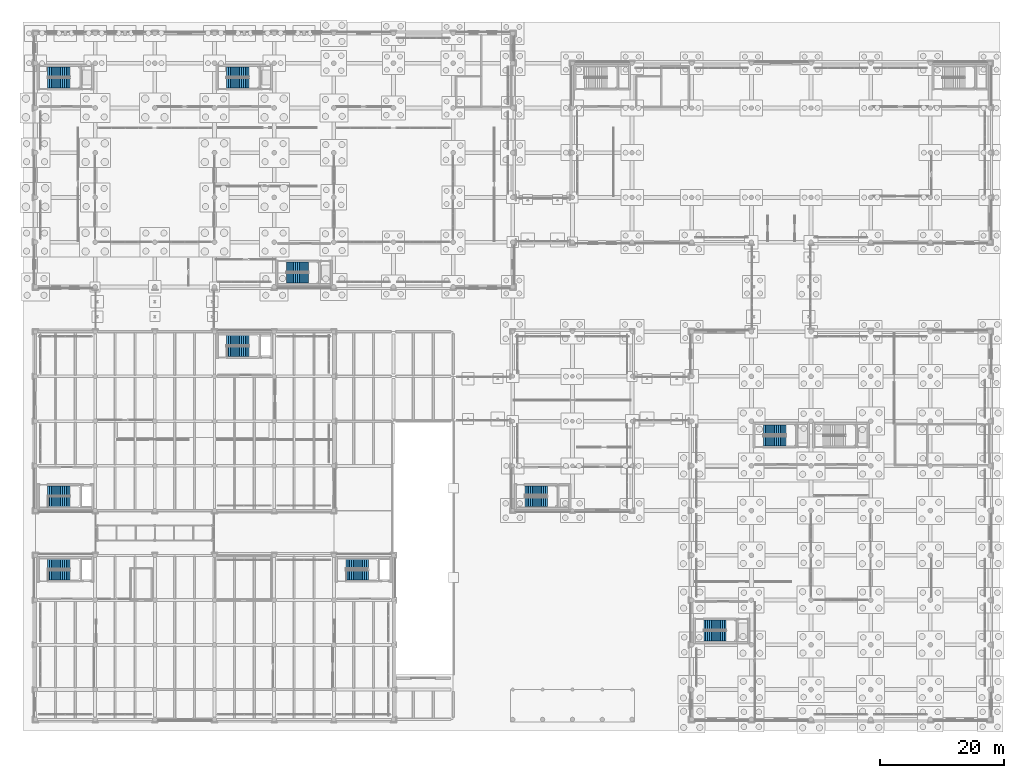
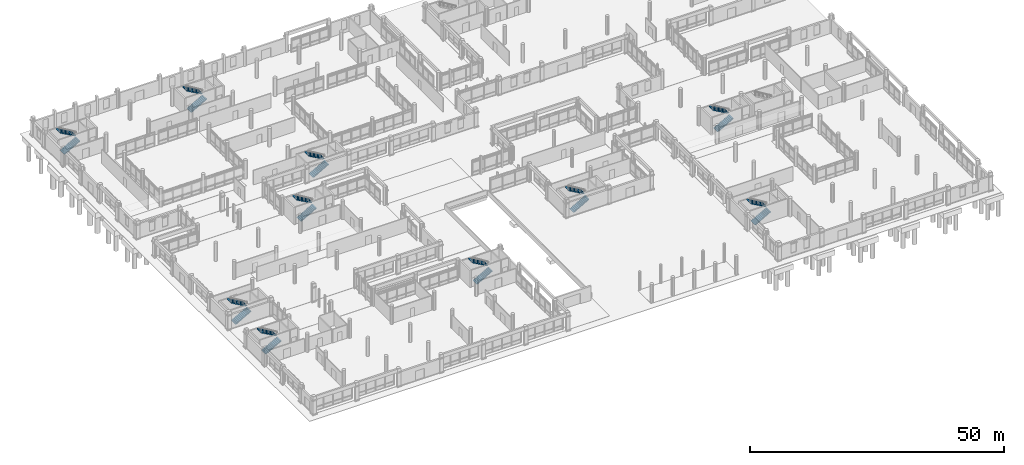
# One storey, part 168 of 196: 20 stair flights, 10 elements without a shape of their own.
"""IFC4 building model written with IfcOpenShell, lengths in metres."""

from ifc_helpers import new_model, si_unit, direction, frame, origin, place, context, subcontext, project, spatial, polyline, outline, extrude, material, layer, layer_set, type_object, element, aggregate, save


model = new_model("IFC4")

# Units and contexts
model_context = context("Model", 3, precision=1e-05, world=origin(), true_north=direction((0.0, 1.0)))
body_context = subcontext(model_context, "Body", "Model", "MODEL_VIEW")
ifc_project = project(units=[si_unit("LENGTHUNIT", "METRE"), si_unit("AREAUNIT", "SQUARE_METRE"), si_unit("VOLUMEUNIT", "CUBIC_METRE"), si_unit("PLANEANGLEUNIT", "RADIAN"), si_unit("MASSUNIT", "GRAM", prefix="KILO")], contexts=[model_context])

# Site, building, storey
site_placement = place(None, origin())
site = spatial("IfcSite", under=ifc_project, at=site_placement, CompositionType="ELEMENT")
building_placement = place(site_placement, origin())
building = spatial("IfcBuilding", under=site, at=building_placement, Name="Asteropetra Specialist Clinic", CompositionType="ELEMENT")
storey_placement = place(building_placement, origin())
storey = spatial("IfcBuildingStorey", under=building, at=storey_placement, Name="L00", CompositionType="ELEMENT", Elevation=0.0)

# Stair, stair flights
ifc_material_1 = material(Name="Concrete C35/45", Category="concrete")
stair_type_1 = type_object("IfcStairType", Name="STR-DOG-150", PredefinedType="TWO_STRAIGHT_RUN_STAIR", material=ifc_material_1)
stair_1_placement = place(storey_placement, origin())
stair_1 = element("IfcStair", 1, at=stair_1_placement, inside=storey, type_object=stair_type_1, Name="Type I Stair ST13-L00", PredefinedType="TWO_STRAIGHT_RUN_STAIR")
ifc_material_2 = material(Name="Concrete C35/45", Category="concrete")
ifc_layer_1 = layer(ifc_material_2, 0.179931640625)
ifc_layer_set_1 = layer_set([ifc_layer_1], Name="Concrete C35/45")
stair_flight_type_1 = type_object("IfcStairFlightType", Name="SFL-STR-150", PredefinedType="STRAIGHT", material=ifc_layer_set_1)
stair_flight_1_placement = place(storey_placement, frame((78.75, 34.989990234375, 0.0), z_axis=(0.0, 0.0, 1.0), x_axis=(1.0, 0.0, 0.0)))
stair_flight_1 = element("IfcStairFlight", 2, at=stair_flight_1_placement, type_object=stair_flight_type_1, Name="ST13-L00 flight 1", NumberOfRisers=13, NumberOfTreads=12, PredefinedType="STRAIGHT", RiserHeight=0.17, TreadLength=0.3, context=body_context, shape_type="SweptSolid", body=[
    extrude(outline(polyline([(0.0, 0.0), (0.0, 0.169921875), (0.300048828125, 0.169921875), (0.300048828125, 0.340087890625), (0.60009765625, 0.340087890625), (0.60009765625, 0.510009765625), (0.89990234375, 0.510009765625), (0.89990234375, 0.679931640625), (1.199951171875, 0.679931640625), (1.199951171875, 0.85009765625), (1.5, 0.85009765625), (1.5, 1.02001953125), (1.800048828125, 1.02001953125), (1.800048828125, 1.18994140625), (2.10009765625, 1.18994140625), (2.10009765625, 1.360107421875), (2.39990234375, 1.360107421875), (2.39990234375, 1.530029296875), (2.699951171875, 1.530029296875), (2.699951171875, 1.699951171875), (3.0, 1.699951171875), (3.0, 1.8701171875), (3.300048828125, 1.8701171875), (3.300048828125, 2.0400390625), (3.60009765625, 2.0400390625), (3.60009765625, 2.2099609375), (3.60009765625, 1.856201171875), (0.324462890625, 0.0), (0.0, 0.0)])), frame((0.0, 0.75, 0.0), z_axis=(0.0, -1.0, 0.0), x_axis=(1.0, 0.0, 0.0)), (0.0, 0.0, 1.0), 1.5),
])
stair_flight_2_placement = place(storey_placement, frame((82.35009765625, 36.830078125, 2.2099609375), z_axis=(0.0, 0.0, 1.0), x_axis=(-1.0, 0.0, 0.0)))
stair_flight_2 = element("IfcStairFlight", 3, at=stair_flight_2_placement, type_object=stair_flight_type_1, Name="ST13-L00 flight 2", NumberOfRisers=13, NumberOfTreads=12, PredefinedType="STRAIGHT", RiserHeight=0.17, TreadLength=0.3, context=body_context, shape_type="SweptSolid", body=[
    extrude(outline(polyline([(0.0, 0.0), (0.0, 0.169921875), (0.300048828125, 0.169921875), (0.300048828125, 0.340087890625), (0.60009765625, 0.340087890625), (0.60009765625, 0.510009765625), (0.89990234375, 0.510009765625), (0.89990234375, 0.679931640625), (1.199951171875, 0.679931640625), (1.199951171875, 0.85009765625), (1.5, 0.85009765625), (1.5, 1.02001953125), (1.800048828125, 1.02001953125), (1.800048828125, 1.18994140625), (2.10009765625, 1.18994140625), (2.10009765625, 1.360107421875), (2.39990234375, 1.360107421875), (2.39990234375, 1.530029296875), (2.699951171875, 1.530029296875), (2.699951171875, 1.699951171875), (3.0, 1.699951171875), (3.0, 1.8701171875), (3.300048828125, 1.8701171875), (3.300048828125, 2.0400390625), (3.60009765625, 2.0400390625), (3.60009765625, 2.2099609375), (3.60009765625, 1.856201171875), (0.324462890625, 0.0), (0.0, 0.0)])), frame((0.0, 0.75, 0.0), z_axis=(0.0, -1.0, 0.0), x_axis=(1.0, 0.0, 0.0)), (0.0, 0.0, 1.0), 1.5),
])
aggregate(stair_1, [stair_flight_1, stair_flight_2])

ifc_material_3 = material(Name="Concrete C35/45", Category="concrete")
stair_type_2 = type_object("IfcStairType", Name="STR-DOG-155", PredefinedType="TWO_STRAIGHT_RUN_STAIR", material=ifc_material_3)
stair_2_placement = place(storey_placement, origin())
stair_2 = element("IfcStair", 4, at=stair_2_placement, inside=storey, type_object=stair_type_2, Name="Type I Stair ST07-L00", PredefinedType="TWO_STRAIGHT_RUN_STAIR")
ifc_material_4 = material(Name="Concrete C35/45", Category="concrete")
ifc_layer_2 = layer(ifc_material_4, 0.179931640625)
ifc_layer_set_2 = layer_set([ifc_layer_2], Name="Concrete C35/45")
stair_flight_type_2 = type_object("IfcStairFlightType", Name="SFL-STR-155", PredefinedType="STRAIGHT", material=ifc_layer_set_2)
stair_flight_3_placement = place(storey_placement, frame((49.949951171875, 23.195068359375, 0.0), z_axis=(0.0, 0.0, 1.0), x_axis=(1.0, 0.0, 0.0)))
stair_flight_3 = element("IfcStairFlight", 5, at=stair_flight_3_placement, type_object=stair_flight_type_2, Name="ST07-L00 flight 1", NumberOfRisers=13, NumberOfTreads=12, PredefinedType="STRAIGHT", RiserHeight=0.17, TreadLength=0.3, context=body_context, shape_type="SweptSolid", body=[
    extrude(outline(polyline([(0.0, 0.0), (0.0, 0.169921875), (0.300048828125, 0.169921875), (0.300048828125, 0.340087890625), (0.60009765625, 0.340087890625), (0.60009765625, 0.510009765625), (0.89990234375, 0.510009765625), (0.89990234375, 0.679931640625), (1.199951171875, 0.679931640625), (1.199951171875, 0.85009765625), (1.5, 0.85009765625), (1.5, 1.02001953125), (1.800048828125, 1.02001953125), (1.800048828125, 1.18994140625), (2.10009765625, 1.18994140625), (2.10009765625, 1.360107421875), (2.39990234375, 1.360107421875), (2.39990234375, 1.530029296875), (2.699951171875, 1.530029296875), (2.699951171875, 1.699951171875), (3.0, 1.699951171875), (3.0, 1.8701171875), (3.300048828125, 1.8701171875), (3.300048828125, 2.0400390625), (3.60009765625, 2.0400390625), (3.60009765625, 2.2099609375), (3.60009765625, 1.856201171875), (0.324462890625, 0.0), (0.0, 0.0)])), frame((0.0, 0.77490234375, 0.0), z_axis=(0.0, -1.0, 0.0), x_axis=(1.0, 0.0, 0.0)), (0.0, 0.0, 1.0), 1.550048828125),
])
stair_flight_4_placement = place(storey_placement, frame((53.550048828125, 24.985107421875, 2.2099609375), z_axis=(0.0, 0.0, 1.0), x_axis=(-1.0, 0.0, 0.0)))
stair_flight_4 = element("IfcStairFlight", 6, at=stair_flight_4_placement, type_object=stair_flight_type_2, Name="ST07-L00 flight 2", NumberOfRisers=13, NumberOfTreads=12, PredefinedType="STRAIGHT", RiserHeight=0.17, TreadLength=0.3, context=body_context, shape_type="SweptSolid", body=[
    extrude(outline(polyline([(0.0, 0.0), (0.0, 0.169921875), (0.300048828125, 0.169921875), (0.300048828125, 0.340087890625), (0.60009765625, 0.340087890625), (0.60009765625, 0.510009765625), (0.89990234375, 0.510009765625), (0.89990234375, 0.679931640625), (1.199951171875, 0.679931640625), (1.199951171875, 0.85009765625), (1.5, 0.85009765625), (1.5, 1.02001953125), (1.800048828125, 1.02001953125), (1.800048828125, 1.18994140625), (2.10009765625, 1.18994140625), (2.10009765625, 1.360107421875), (2.39990234375, 1.360107421875), (2.39990234375, 1.530029296875), (2.699951171875, 1.530029296875), (2.699951171875, 1.699951171875), (3.0, 1.699951171875), (3.0, 1.8701171875), (3.300048828125, 1.8701171875), (3.300048828125, 2.0400390625), (3.60009765625, 2.0400390625), (3.60009765625, 2.2099609375), (3.60009765625, 1.856201171875), (0.324462890625, 0.0), (0.0, 0.0)])), frame((0.0, 0.77490234375, 0.0), z_axis=(0.0, -1.0, 0.0), x_axis=(1.0, 0.0, 0.0)), (0.0, 0.0, 1.0), 1.550048828125),
])
aggregate(stair_2, [stair_flight_3, stair_flight_4])

stair_3_placement = place(storey_placement, origin())
stair_3 = element("IfcStair", 7, at=stair_3_placement, inside=storey, type_object=stair_type_2, Name="Type I Stair ST10-L00", PredefinedType="TWO_STRAIGHT_RUN_STAIR")
stair_flight_5_placement = place(storey_placement, frame((117.14990234375, 44.794921875, 0.0), z_axis=(0.0, 0.0, 1.0), x_axis=(1.0, 0.0, 0.0)))
stair_flight_5 = element("IfcStairFlight", 8, at=stair_flight_5_placement, type_object=stair_flight_type_2, Name="ST10-L00 flight 1", NumberOfRisers=13, NumberOfTreads=12, PredefinedType="STRAIGHT", RiserHeight=0.17, TreadLength=0.3, context=body_context, shape_type="SweptSolid", body=[
    extrude(outline(polyline([(0.0, 0.0), (0.0, 0.169921875), (0.300048828125, 0.169921875), (0.300048828125, 0.340087890625), (0.60009765625, 0.340087890625), (0.60009765625, 0.510009765625), (0.89990234375, 0.510009765625), (0.89990234375, 0.679931640625), (1.199951171875, 0.679931640625), (1.199951171875, 0.85009765625), (1.5, 0.85009765625), (1.5, 1.02001953125), (1.800048828125, 1.02001953125), (1.800048828125, 1.18994140625), (2.10009765625, 1.18994140625), (2.10009765625, 1.360107421875), (2.39990234375, 1.360107421875), (2.39990234375, 1.530029296875), (2.699951171875, 1.530029296875), (2.699951171875, 1.699951171875), (3.0, 1.699951171875), (3.0, 1.8701171875), (3.300048828125, 1.8701171875), (3.300048828125, 2.0400390625), (3.60009765625, 2.0400390625), (3.60009765625, 2.2099609375), (3.60009765625, 1.856201171875), (0.324462890625, 0.0), (0.0, 0.0)])), frame((0.0, 0.77490234375, 0.0), z_axis=(0.0, -1.0, 0.0), x_axis=(1.0, 0.0, 0.0)), (0.0, 0.0, 1.0), 1.550048828125),
])
stair_flight_6_placement = place(storey_placement, frame((120.75, 46.5849609375, 2.2099609375), z_axis=(0.0, 0.0, 1.0), x_axis=(-1.0, 0.0, 0.0)))
stair_flight_6 = element("IfcStairFlight", 9, at=stair_flight_6_placement, type_object=stair_flight_type_2, Name="ST10-L00 flight 2", NumberOfRisers=13, NumberOfTreads=12, PredefinedType="STRAIGHT", RiserHeight=0.17, TreadLength=0.3, context=body_context, shape_type="SweptSolid", body=[
    extrude(outline(polyline([(0.0, 0.0), (0.0, 0.169921875), (0.300048828125, 0.169921875), (0.300048828125, 0.340087890625), (0.60009765625, 0.340087890625), (0.60009765625, 0.510009765625), (0.89990234375, 0.510009765625), (0.89990234375, 0.679931640625), (1.199951171875, 0.679931640625), (1.199951171875, 0.85009765625), (1.5, 0.85009765625), (1.5, 1.02001953125), (1.800048828125, 1.02001953125), (1.800048828125, 1.18994140625), (2.10009765625, 1.18994140625), (2.10009765625, 1.360107421875), (2.39990234375, 1.360107421875), (2.39990234375, 1.530029296875), (2.699951171875, 1.530029296875), (2.699951171875, 1.699951171875), (3.0, 1.699951171875), (3.0, 1.8701171875), (3.300048828125, 1.8701171875), (3.300048828125, 2.0400390625), (3.60009765625, 2.0400390625), (3.60009765625, 2.2099609375), (3.60009765625, 1.856201171875), (0.324462890625, 0.0), (0.0, 0.0)])), frame((0.0, 0.77490234375, 0.0), z_axis=(0.0, -1.0, 0.0), x_axis=(1.0, 0.0, 0.0)), (0.0, 0.0, 1.0), 1.550048828125),
])
aggregate(stair_3, [stair_flight_5, stair_flight_6])

ifc_material_5 = material(Name="Concrete C35/45", Category="concrete")
stair_type_3 = type_object("IfcStairType", Name="STR-DOG-160", PredefinedType="TWO_STRAIGHT_RUN_STAIR", material=ifc_material_5)
stair_4_placement = place(storey_placement, origin())
stair_4 = element("IfcStair", 10, at=stair_4_placement, inside=storey, type_object=stair_type_3, Name="Type I Stair ST03-L00", PredefinedType="TWO_STRAIGHT_RUN_STAIR")
ifc_material_6 = material(Name="Concrete C35/45", Category="concrete")
ifc_layer_3 = layer(ifc_material_6, 0.179931640625)
ifc_layer_set_3 = layer_set([ifc_layer_3], Name="Concrete C35/45")
stair_flight_type_3 = type_object("IfcStairFlightType", Name="SFL-STR-160", PredefinedType="STRAIGHT", material=ifc_layer_set_3)
stair_flight_7_placement = place(storey_placement, frame((40.35009765625, 71.0400390625, 0.0), z_axis=(0.0, 0.0, 1.0), x_axis=(1.0, 0.0, 0.0)))
stair_flight_7 = element("IfcStairFlight", 11, at=stair_flight_7_placement, type_object=stair_flight_type_3, Name="ST03-L00 flight 1", NumberOfRisers=13, NumberOfTreads=12, PredefinedType="STRAIGHT", RiserHeight=0.17, TreadLength=0.3, context=body_context, shape_type="SweptSolid", body=[
    extrude(outline(polyline([(0.0, 0.0), (0.0, 0.169921875), (0.300048828125, 0.169921875), (0.300048828125, 0.340087890625), (0.60009765625, 0.340087890625), (0.60009765625, 0.510009765625), (0.89990234375, 0.510009765625), (0.89990234375, 0.679931640625), (1.199951171875, 0.679931640625), (1.199951171875, 0.85009765625), (1.5, 0.85009765625), (1.5, 1.02001953125), (1.800048828125, 1.02001953125), (1.800048828125, 1.18994140625), (2.10009765625, 1.18994140625), (2.10009765625, 1.360107421875), (2.39990234375, 1.360107421875), (2.39990234375, 1.530029296875), (2.699951171875, 1.530029296875), (2.699951171875, 1.699951171875), (3.0, 1.699951171875), (3.0, 1.8701171875), (3.300048828125, 1.8701171875), (3.300048828125, 2.0400390625), (3.60009765625, 2.0400390625), (3.60009765625, 2.2099609375), (3.60009765625, 1.856201171875), (0.324462890625, 0.0), (0.0, 0.0)])), frame((0.0, 0.800048828125, 0.0), z_axis=(0.0, -1.0, 0.0), x_axis=(1.0, 0.0, 0.0)), (0.0, 0.0, 1.0), 1.60009765625),
])
stair_flight_8_placement = place(storey_placement, frame((43.949951171875, 72.780029296875, 2.2099609375), z_axis=(0.0, 0.0, 1.0), x_axis=(-1.0, 0.0, 0.0)))
stair_flight_8 = element("IfcStairFlight", 12, at=stair_flight_8_placement, type_object=stair_flight_type_3, Name="ST03-L00 flight 2", NumberOfRisers=13, NumberOfTreads=12, PredefinedType="STRAIGHT", RiserHeight=0.17, TreadLength=0.3, context=body_context, shape_type="SweptSolid", body=[
    extrude(outline(polyline([(0.0, 0.0), (0.0, 0.169921875), (0.300048828125, 0.169921875), (0.300048828125, 0.340087890625), (0.60009765625, 0.340087890625), (0.60009765625, 0.510009765625), (0.89990234375, 0.510009765625), (0.89990234375, 0.679931640625), (1.199951171875, 0.679931640625), (1.199951171875, 0.85009765625), (1.5, 0.85009765625), (1.5, 1.02001953125), (1.800048828125, 1.02001953125), (1.800048828125, 1.18994140625), (2.10009765625, 1.18994140625), (2.10009765625, 1.360107421875), (2.39990234375, 1.360107421875), (2.39990234375, 1.530029296875), (2.699951171875, 1.530029296875), (2.699951171875, 1.699951171875), (3.0, 1.699951171875), (3.0, 1.8701171875), (3.300048828125, 1.8701171875), (3.300048828125, 2.0400390625), (3.60009765625, 2.0400390625), (3.60009765625, 2.2099609375), (3.60009765625, 1.856201171875), (0.324462890625, 0.0), (0.0, 0.0)])), frame((0.0, 0.800048828125, 0.0), z_axis=(0.0, -1.0, 0.0), x_axis=(1.0, 0.0, 0.0)), (0.0, 0.0, 1.0), 1.60009765625),
])
aggregate(stair_4, [stair_flight_7, stair_flight_8])

stair_5_placement = place(storey_placement, origin())
stair_5 = element("IfcStair", 13, at=stair_5_placement, inside=storey, type_object=stair_type_3, Name="Type I Stair ST05-L00", PredefinedType="TWO_STRAIGHT_RUN_STAIR")
stair_flight_9_placement = place(storey_placement, frame((30.75, 59.219970703125, 0.0), z_axis=(0.0, 0.0, 1.0), x_axis=(1.0, 0.0, 0.0)))
stair_flight_9 = element("IfcStairFlight", 14, at=stair_flight_9_placement, type_object=stair_flight_type_3, Name="ST05-L00 flight 1", NumberOfRisers=13, NumberOfTreads=12, PredefinedType="STRAIGHT", RiserHeight=0.17, TreadLength=0.3, context=body_context, shape_type="SweptSolid", body=[
    extrude(outline(polyline([(0.0, 0.0), (0.0, 0.169921875), (0.300048828125, 0.169921875), (0.300048828125, 0.340087890625), (0.60009765625, 0.340087890625), (0.60009765625, 0.510009765625), (0.89990234375, 0.510009765625), (0.89990234375, 0.679931640625), (1.199951171875, 0.679931640625), (1.199951171875, 0.85009765625), (1.5, 0.85009765625), (1.5, 1.02001953125), (1.800048828125, 1.02001953125), (1.800048828125, 1.18994140625), (2.10009765625, 1.18994140625), (2.10009765625, 1.360107421875), (2.39990234375, 1.360107421875), (2.39990234375, 1.530029296875), (2.699951171875, 1.530029296875), (2.699951171875, 1.699951171875), (3.0, 1.699951171875), (3.0, 1.8701171875), (3.300048828125, 1.8701171875), (3.300048828125, 2.0400390625), (3.60009765625, 2.0400390625), (3.60009765625, 2.2099609375), (3.60009765625, 1.856201171875), (0.324462890625, 0.0), (0.0, 0.0)])), frame((0.0, 0.800048828125, 0.0), z_axis=(0.0, -1.0, 0.0), x_axis=(1.0, 0.0, 0.0)), (0.0, 0.0, 1.0), 1.60009765625),
])
stair_flight_10_placement = place(storey_placement, frame((34.35009765625, 60.9599609375, 2.2099609375), z_axis=(0.0, 0.0, 1.0), x_axis=(-1.0, 0.0, 0.0)))
stair_flight_10 = element("IfcStairFlight", 15, at=stair_flight_10_placement, type_object=stair_flight_type_3, Name="ST05-L00 flight 2", NumberOfRisers=13, NumberOfTreads=12, PredefinedType="STRAIGHT", RiserHeight=0.17, TreadLength=0.3, context=body_context, shape_type="SweptSolid", body=[
    extrude(outline(polyline([(0.0, 0.0), (0.0, 0.169921875), (0.300048828125, 0.169921875), (0.300048828125, 0.340087890625), (0.60009765625, 0.340087890625), (0.60009765625, 0.510009765625), (0.89990234375, 0.510009765625), (0.89990234375, 0.679931640625), (1.199951171875, 0.679931640625), (1.199951171875, 0.85009765625), (1.5, 0.85009765625), (1.5, 1.02001953125), (1.800048828125, 1.02001953125), (1.800048828125, 1.18994140625), (2.10009765625, 1.18994140625), (2.10009765625, 1.360107421875), (2.39990234375, 1.360107421875), (2.39990234375, 1.530029296875), (2.699951171875, 1.530029296875), (2.699951171875, 1.699951171875), (3.0, 1.699951171875), (3.0, 1.8701171875), (3.300048828125, 1.8701171875), (3.300048828125, 2.0400390625), (3.60009765625, 2.0400390625), (3.60009765625, 2.2099609375), (3.60009765625, 1.856201171875), (0.324462890625, 0.0), (0.0, 0.0)])), frame((0.0, 0.800048828125, 0.0), z_axis=(0.0, -1.0, 0.0), x_axis=(1.0, 0.0, 0.0)), (0.0, 0.0, 1.0), 1.60009765625),
])
aggregate(stair_5, [stair_flight_9, stair_flight_10])

stair_6_placement = place(storey_placement, origin())
stair_6 = element("IfcStair", 16, at=stair_6_placement, inside=storey, type_object=stair_type_3, Name="Type I Stair ST06-L00", PredefinedType="TWO_STRAIGHT_RUN_STAIR")
stair_flight_11_placement = place(storey_placement, frame((1.949951171875, 23.219970703125, 0.0), z_axis=(0.0, 0.0, 1.0), x_axis=(1.0, 0.0, 0.0)))
stair_flight_11 = element("IfcStairFlight", 17, at=stair_flight_11_placement, type_object=stair_flight_type_3, Name="ST06-L00 flight 1", NumberOfRisers=13, NumberOfTreads=12, PredefinedType="STRAIGHT", RiserHeight=0.17, TreadLength=0.3, context=body_context, shape_type="SweptSolid", body=[
    extrude(outline(polyline([(0.0, 0.0), (0.0, 0.169921875), (0.300048828125, 0.169921875), (0.300048828125, 0.340087890625), (0.60009765625, 0.340087890625), (0.60009765625, 0.510009765625), (0.89990234375, 0.510009765625), (0.89990234375, 0.679931640625), (1.199951171875, 0.679931640625), (1.199951171875, 0.85009765625), (1.5, 0.85009765625), (1.5, 1.02001953125), (1.800048828125, 1.02001953125), (1.800048828125, 1.18994140625), (2.10009765625, 1.18994140625), (2.10009765625, 1.360107421875), (2.39990234375, 1.360107421875), (2.39990234375, 1.530029296875), (2.699951171875, 1.530029296875), (2.699951171875, 1.699951171875), (3.0, 1.699951171875), (3.0, 1.8701171875), (3.300048828125, 1.8701171875), (3.300048828125, 2.0400390625), (3.60009765625, 2.0400390625), (3.60009765625, 2.2099609375), (3.60009765625, 1.856201171875), (0.324462890625, 0.0), (0.0, 0.0)])), frame((0.0, 0.800048828125, 0.0), z_axis=(0.0, -1.0, 0.0), x_axis=(1.0, 0.0, 0.0)), (0.0, 0.0, 1.0), 1.60009765625),
])
stair_flight_12_placement = place(storey_placement, frame((5.550048828125, 24.9599609375, 2.2099609375), z_axis=(0.0, 0.0, 1.0), x_axis=(-1.0, 0.0, 0.0)))
stair_flight_12 = element("IfcStairFlight", 18, at=stair_flight_12_placement, type_object=stair_flight_type_3, Name="ST06-L00 flight 2", NumberOfRisers=13, NumberOfTreads=12, PredefinedType="STRAIGHT", RiserHeight=0.17, TreadLength=0.3, context=body_context, shape_type="SweptSolid", body=[
    extrude(outline(polyline([(0.0, 0.0), (0.0, 0.169921875), (0.300048828125, 0.169921875), (0.300048828125, 0.340087890625), (0.60009765625, 0.340087890625), (0.60009765625, 0.510009765625), (0.89990234375, 0.510009765625), (0.89990234375, 0.679931640625), (1.199951171875, 0.679931640625), (1.199951171875, 0.85009765625), (1.5, 0.85009765625), (1.5, 1.02001953125), (1.800048828125, 1.02001953125), (1.800048828125, 1.18994140625), (2.10009765625, 1.18994140625), (2.10009765625, 1.360107421875), (2.39990234375, 1.360107421875), (2.39990234375, 1.530029296875), (2.699951171875, 1.530029296875), (2.699951171875, 1.699951171875), (3.0, 1.699951171875), (3.0, 1.8701171875), (3.300048828125, 1.8701171875), (3.300048828125, 2.0400390625), (3.60009765625, 2.0400390625), (3.60009765625, 2.2099609375), (3.60009765625, 1.856201171875), (0.324462890625, 0.0), (0.0, 0.0)])), frame((0.0, 0.800048828125, 0.0), z_axis=(0.0, -1.0, 0.0), x_axis=(1.0, 0.0, 0.0)), (0.0, 0.0, 1.0), 1.60009765625),
])
aggregate(stair_6, [stair_flight_11, stair_flight_12])

ifc_material_7 = material(Name="Concrete C35/45", Category="concrete")
stair_type_4 = type_object("IfcStairType", Name="STR-DOG-165", PredefinedType="TWO_STRAIGHT_RUN_STAIR", material=ifc_material_7)
stair_7_placement = place(storey_placement, origin())
stair_7 = element("IfcStair", 19, at=stair_7_placement, inside=storey, type_object=stair_type_4, Name="Type I Stair ST01-L00", PredefinedType="TWO_STRAIGHT_RUN_STAIR")
ifc_material_8 = material(Name="Concrete C35/45", Category="concrete")
ifc_layer_4 = layer(ifc_material_8, 0.179931640625)
ifc_layer_set_4 = layer_set([ifc_layer_4], Name="Concrete C35/45")
stair_flight_type_4 = type_object("IfcStairFlightType", Name="SFL-STR-165", PredefinedType="STRAIGHT", material=ifc_layer_set_4)
stair_flight_13_placement = place(storey_placement, frame((1.949951171875, 102.445068359375, 0.0), z_axis=(0.0, 0.0, 1.0), x_axis=(1.0, 0.0, 0.0)))
stair_flight_13 = element("IfcStairFlight", 20, at=stair_flight_13_placement, type_object=stair_flight_type_4, Name="ST01-L00 flight 1", NumberOfRisers=13, NumberOfTreads=12, PredefinedType="STRAIGHT", RiserHeight=0.17, TreadLength=0.3, context=body_context, shape_type="SweptSolid", body=[
    extrude(outline(polyline([(0.0, 0.0), (0.0, 0.169921875), (0.300048828125, 0.169921875), (0.300048828125, 0.340087890625), (0.60009765625, 0.340087890625), (0.60009765625, 0.510009765625), (0.89990234375, 0.510009765625), (0.89990234375, 0.679931640625), (1.199951171875, 0.679931640625), (1.199951171875, 0.85009765625), (1.5, 0.85009765625), (1.5, 1.02001953125), (1.800048828125, 1.02001953125), (1.800048828125, 1.18994140625), (2.10009765625, 1.18994140625), (2.10009765625, 1.360107421875), (2.39990234375, 1.360107421875), (2.39990234375, 1.530029296875), (2.699951171875, 1.530029296875), (2.699951171875, 1.699951171875), (3.0, 1.699951171875), (3.0, 1.8701171875), (3.300048828125, 1.8701171875), (3.300048828125, 2.0400390625), (3.60009765625, 2.0400390625), (3.60009765625, 2.2099609375), (3.60009765625, 1.856201171875), (0.324462890625, 0.0), (0.0, 0.0)])), frame((0.0, 0.824951171875, 0.0), z_axis=(0.0, -1.0, 0.0), x_axis=(1.0, 0.0, 0.0)), (0.0, 0.0, 1.0), 1.64990234375),
])
stair_flight_14_placement = place(storey_placement, frame((5.550048828125, 104.135009765625, 2.2099609375), z_axis=(0.0, 0.0, 1.0), x_axis=(-1.0, 0.0, 0.0)))
stair_flight_14 = element("IfcStairFlight", 21, at=stair_flight_14_placement, type_object=stair_flight_type_4, Name="ST01-L00 flight 2", NumberOfRisers=13, NumberOfTreads=12, PredefinedType="STRAIGHT", RiserHeight=0.17, TreadLength=0.3, context=body_context, shape_type="SweptSolid", body=[
    extrude(outline(polyline([(0.0, 0.0), (0.0, 0.169921875), (0.300048828125, 0.169921875), (0.300048828125, 0.340087890625), (0.60009765625, 0.340087890625), (0.60009765625, 0.510009765625), (0.89990234375, 0.510009765625), (0.89990234375, 0.679931640625), (1.199951171875, 0.679931640625), (1.199951171875, 0.85009765625), (1.5, 0.85009765625), (1.5, 1.02001953125), (1.800048828125, 1.02001953125), (1.800048828125, 1.18994140625), (2.10009765625, 1.18994140625), (2.10009765625, 1.360107421875), (2.39990234375, 1.360107421875), (2.39990234375, 1.530029296875), (2.699951171875, 1.530029296875), (2.699951171875, 1.699951171875), (3.0, 1.699951171875), (3.0, 1.8701171875), (3.300048828125, 1.8701171875), (3.300048828125, 2.0400390625), (3.60009765625, 2.0400390625), (3.60009765625, 2.2099609375), (3.60009765625, 1.856201171875), (0.324462890625, 0.0), (0.0, 0.0)])), frame((0.0, 0.824951171875, 0.0), z_axis=(0.0, -1.0, 0.0), x_axis=(1.0, 0.0, 0.0)), (0.0, 0.0, 1.0), 1.64990234375),
])
aggregate(stair_7, [stair_flight_13, stair_flight_14])

stair_8_placement = place(storey_placement, origin())
stair_8 = element("IfcStair", 22, at=stair_8_placement, inside=storey, type_object=stair_type_4, Name="Type I Stair ST02-L00", PredefinedType="TWO_STRAIGHT_RUN_STAIR")
stair_flight_15_placement = place(storey_placement, frame((30.75, 102.445068359375, 0.0), z_axis=(0.0, 0.0, 1.0), x_axis=(1.0, 0.0, 0.0)))
stair_flight_15 = element("IfcStairFlight", 23, at=stair_flight_15_placement, type_object=stair_flight_type_4, Name="ST02-L00 flight 1", NumberOfRisers=13, NumberOfTreads=12, PredefinedType="STRAIGHT", RiserHeight=0.17, TreadLength=0.3, context=body_context, shape_type="SweptSolid", body=[
    extrude(outline(polyline([(0.0, 0.0), (0.0, 0.169921875), (0.300048828125, 0.169921875), (0.300048828125, 0.340087890625), (0.60009765625, 0.340087890625), (0.60009765625, 0.510009765625), (0.89990234375, 0.510009765625), (0.89990234375, 0.679931640625), (1.199951171875, 0.679931640625), (1.199951171875, 0.85009765625), (1.5, 0.85009765625), (1.5, 1.02001953125), (1.800048828125, 1.02001953125), (1.800048828125, 1.18994140625), (2.10009765625, 1.18994140625), (2.10009765625, 1.360107421875), (2.39990234375, 1.360107421875), (2.39990234375, 1.530029296875), (2.699951171875, 1.530029296875), (2.699951171875, 1.699951171875), (3.0, 1.699951171875), (3.0, 1.8701171875), (3.300048828125, 1.8701171875), (3.300048828125, 2.0400390625), (3.60009765625, 2.0400390625), (3.60009765625, 2.2099609375), (3.60009765625, 1.856201171875), (0.324462890625, 0.0), (0.0, 0.0)])), frame((0.0, 0.824951171875, 0.0), z_axis=(0.0, -1.0, 0.0), x_axis=(1.0, 0.0, 0.0)), (0.0, 0.0, 1.0), 1.64990234375),
])
stair_flight_16_placement = place(storey_placement, frame((34.35009765625, 104.135009765625, 2.2099609375), z_axis=(0.0, 0.0, 1.0), x_axis=(-1.0, 0.0, 0.0)))
stair_flight_16 = element("IfcStairFlight", 24, at=stair_flight_16_placement, type_object=stair_flight_type_4, Name="ST02-L00 flight 2", NumberOfRisers=13, NumberOfTreads=12, PredefinedType="STRAIGHT", RiserHeight=0.17, TreadLength=0.3, context=body_context, shape_type="SweptSolid", body=[
    extrude(outline(polyline([(0.0, 0.0), (0.0, 0.169921875), (0.300048828125, 0.169921875), (0.300048828125, 0.340087890625), (0.60009765625, 0.340087890625), (0.60009765625, 0.510009765625), (0.89990234375, 0.510009765625), (0.89990234375, 0.679931640625), (1.199951171875, 0.679931640625), (1.199951171875, 0.85009765625), (1.5, 0.85009765625), (1.5, 1.02001953125), (1.800048828125, 1.02001953125), (1.800048828125, 1.18994140625), (2.10009765625, 1.18994140625), (2.10009765625, 1.360107421875), (2.39990234375, 1.360107421875), (2.39990234375, 1.530029296875), (2.699951171875, 1.530029296875), (2.699951171875, 1.699951171875), (3.0, 1.699951171875), (3.0, 1.8701171875), (3.300048828125, 1.8701171875), (3.300048828125, 2.0400390625), (3.60009765625, 2.0400390625), (3.60009765625, 2.2099609375), (3.60009765625, 1.856201171875), (0.324462890625, 0.0), (0.0, 0.0)])), frame((0.0, 0.824951171875, 0.0), z_axis=(0.0, -1.0, 0.0), x_axis=(1.0, 0.0, 0.0)), (0.0, 0.0, 1.0), 1.64990234375),
])
aggregate(stair_8, [stair_flight_15, stair_flight_16])

stair_9_placement = place(storey_placement, origin())
stair_9 = element("IfcStair", 25, at=stair_9_placement, inside=storey, type_object=stair_type_4, Name="Type I Stair ST04-L00", PredefinedType="TWO_STRAIGHT_RUN_STAIR")
stair_flight_17_placement = place(storey_placement, frame((1.949951171875, 35.06494140625, 0.0), z_axis=(0.0, 0.0, 1.0), x_axis=(1.0, 0.0, 0.0)))
stair_flight_17 = element("IfcStairFlight", 26, at=stair_flight_17_placement, type_object=stair_flight_type_4, Name="ST04-L00 flight 1", NumberOfRisers=13, NumberOfTreads=12, PredefinedType="STRAIGHT", RiserHeight=0.17, TreadLength=0.3, context=body_context, shape_type="SweptSolid", body=[
    extrude(outline(polyline([(0.0, 0.0), (0.0, 0.169921875), (0.300048828125, 0.169921875), (0.300048828125, 0.340087890625), (0.60009765625, 0.340087890625), (0.60009765625, 0.510009765625), (0.89990234375, 0.510009765625), (0.89990234375, 0.679931640625), (1.199951171875, 0.679931640625), (1.199951171875, 0.85009765625), (1.5, 0.85009765625), (1.5, 1.02001953125), (1.800048828125, 1.02001953125), (1.800048828125, 1.18994140625), (2.10009765625, 1.18994140625), (2.10009765625, 1.360107421875), (2.39990234375, 1.360107421875), (2.39990234375, 1.530029296875), (2.699951171875, 1.530029296875), (2.699951171875, 1.699951171875), (3.0, 1.699951171875), (3.0, 1.8701171875), (3.300048828125, 1.8701171875), (3.300048828125, 2.0400390625), (3.60009765625, 2.0400390625), (3.60009765625, 2.2099609375), (3.60009765625, 1.856201171875), (0.324462890625, 0.0), (0.0, 0.0)])), frame((0.0, 0.824951171875, 0.0), z_axis=(0.0, -1.0, 0.0), x_axis=(1.0, 0.0, 0.0)), (0.0, 0.0, 1.0), 1.64990234375),
])
stair_flight_18_placement = place(storey_placement, frame((5.550048828125, 36.7548828125, 2.2099609375), z_axis=(0.0, 0.0, 1.0), x_axis=(-1.0, 0.0, 0.0)))
stair_flight_18 = element("IfcStairFlight", 27, at=stair_flight_18_placement, type_object=stair_flight_type_4, Name="ST04-L00 flight 2", NumberOfRisers=13, NumberOfTreads=12, PredefinedType="STRAIGHT", RiserHeight=0.17, TreadLength=0.3, context=body_context, shape_type="SweptSolid", body=[
    extrude(outline(polyline([(0.0, 0.0), (0.0, 0.169921875), (0.300048828125, 0.169921875), (0.300048828125, 0.340087890625), (0.60009765625, 0.340087890625), (0.60009765625, 0.510009765625), (0.89990234375, 0.510009765625), (0.89990234375, 0.679931640625), (1.199951171875, 0.679931640625), (1.199951171875, 0.85009765625), (1.5, 0.85009765625), (1.5, 1.02001953125), (1.800048828125, 1.02001953125), (1.800048828125, 1.18994140625), (2.10009765625, 1.18994140625), (2.10009765625, 1.360107421875), (2.39990234375, 1.360107421875), (2.39990234375, 1.530029296875), (2.699951171875, 1.530029296875), (2.699951171875, 1.699951171875), (3.0, 1.699951171875), (3.0, 1.8701171875), (3.300048828125, 1.8701171875), (3.300048828125, 2.0400390625), (3.60009765625, 2.0400390625), (3.60009765625, 2.2099609375), (3.60009765625, 1.856201171875), (0.324462890625, 0.0), (0.0, 0.0)])), frame((0.0, 0.824951171875, 0.0), z_axis=(0.0, -1.0, 0.0), x_axis=(1.0, 0.0, 0.0)), (0.0, 0.0, 1.0), 1.64990234375),
])
aggregate(stair_9, [stair_flight_17, stair_flight_18])

stair_10_placement = place(storey_placement, origin())
stair_10 = element("IfcStair", 28, at=stair_10_placement, inside=storey, type_object=stair_type_4, Name="Type I Stair ST08-L00", PredefinedType="TWO_STRAIGHT_RUN_STAIR")
stair_flight_19_placement = place(storey_placement, frame((107.550048828125, 13.465087890625, 0.0), z_axis=(0.0, 0.0, 1.0), x_axis=(1.0, 0.0, 0.0)))
stair_flight_19 = element("IfcStairFlight", 29, at=stair_flight_19_placement, type_object=stair_flight_type_4, Name="ST08-L00 flight 1", NumberOfRisers=13, NumberOfTreads=12, PredefinedType="STRAIGHT", RiserHeight=0.17, TreadLength=0.3, context=body_context, shape_type="SweptSolid", body=[
    extrude(outline(polyline([(0.0, 0.0), (0.0, 0.169921875), (0.300048828125, 0.169921875), (0.300048828125, 0.340087890625), (0.60009765625, 0.340087890625), (0.60009765625, 0.510009765625), (0.89990234375, 0.510009765625), (0.89990234375, 0.679931640625), (1.199951171875, 0.679931640625), (1.199951171875, 0.85009765625), (1.5, 0.85009765625), (1.5, 1.02001953125), (1.800048828125, 1.02001953125), (1.800048828125, 1.18994140625), (2.10009765625, 1.18994140625), (2.10009765625, 1.360107421875), (2.39990234375, 1.360107421875), (2.39990234375, 1.530029296875), (2.699951171875, 1.530029296875), (2.699951171875, 1.699951171875), (3.0, 1.699951171875), (3.0, 1.8701171875), (3.300048828125, 1.8701171875), (3.300048828125, 2.0400390625), (3.60009765625, 2.0400390625), (3.60009765625, 2.2099609375), (3.60009765625, 1.856201171875), (0.324462890625, 0.0), (0.0, 0.0)])), frame((0.0, 0.824951171875, 0.0), z_axis=(0.0, -1.0, 0.0), x_axis=(1.0, 0.0, 0.0)), (0.0, 0.0, 1.0), 1.64990234375),
])
stair_flight_20_placement = place(storey_placement, frame((111.14990234375, 15.155029296875, 2.2099609375), z_axis=(0.0, 0.0, 1.0), x_axis=(-1.0, 0.0, 0.0)))
stair_flight_20 = element("IfcStairFlight", 30, at=stair_flight_20_placement, type_object=stair_flight_type_4, Name="ST08-L00 flight 2", NumberOfRisers=13, NumberOfTreads=12, PredefinedType="STRAIGHT", RiserHeight=0.17, TreadLength=0.3, context=body_context, shape_type="SweptSolid", body=[
    extrude(outline(polyline([(0.0, 0.0), (0.0, 0.169921875), (0.300048828125, 0.169921875), (0.300048828125, 0.340087890625), (0.60009765625, 0.340087890625), (0.60009765625, 0.510009765625), (0.89990234375, 0.510009765625), (0.89990234375, 0.679931640625), (1.199951171875, 0.679931640625), (1.199951171875, 0.85009765625), (1.5, 0.85009765625), (1.5, 1.02001953125), (1.800048828125, 1.02001953125), (1.800048828125, 1.18994140625), (2.10009765625, 1.18994140625), (2.10009765625, 1.360107421875), (2.39990234375, 1.360107421875), (2.39990234375, 1.530029296875), (2.699951171875, 1.530029296875), (2.699951171875, 1.699951171875), (3.0, 1.699951171875), (3.0, 1.8701171875), (3.300048828125, 1.8701171875), (3.300048828125, 2.0400390625), (3.60009765625, 2.0400390625), (3.60009765625, 2.2099609375), (3.60009765625, 1.856201171875), (0.324462890625, 0.0), (0.0, 0.0)])), frame((0.0, 0.824951171875, 0.0), z_axis=(0.0, -1.0, 0.0), x_axis=(1.0, 0.0, 0.0)), (0.0, 0.0, 1.0), 1.64990234375),
])
aggregate(stair_10, [stair_flight_19, stair_flight_20])

save(model, "model.ifc")
